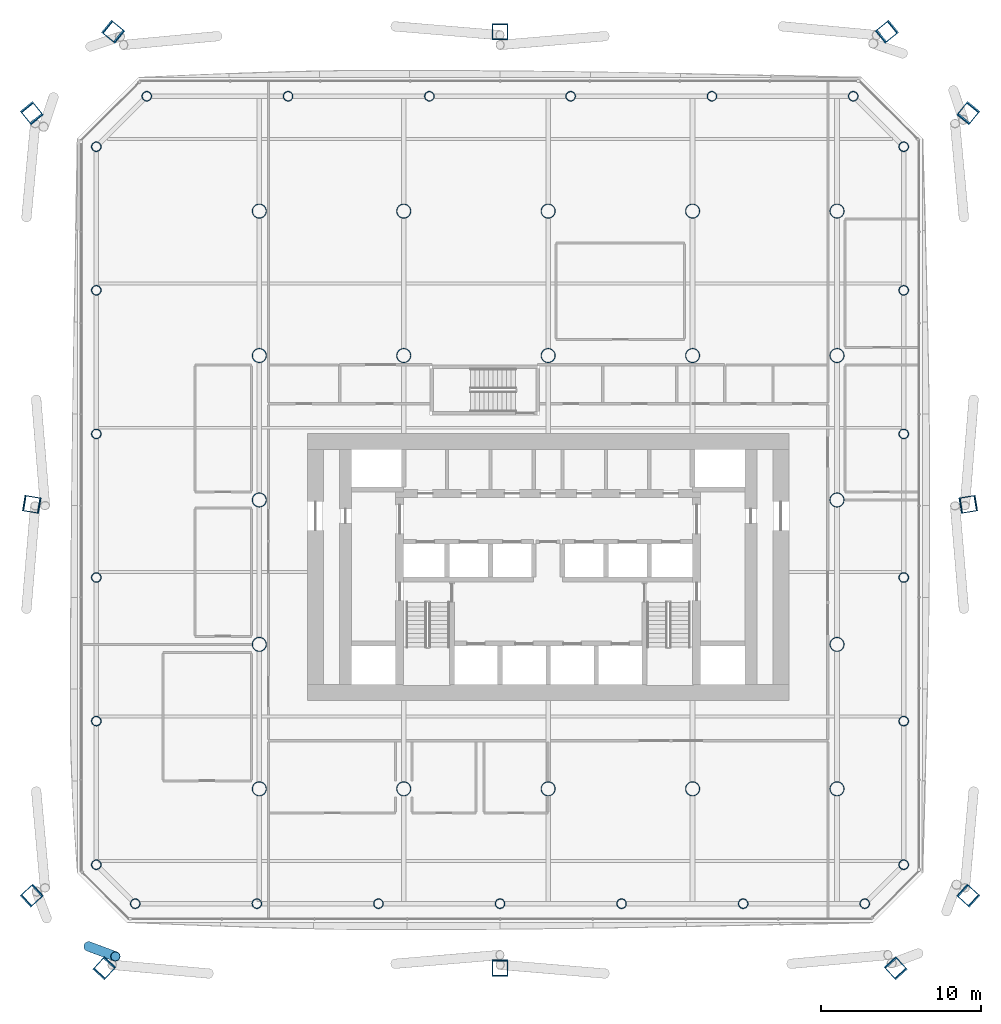
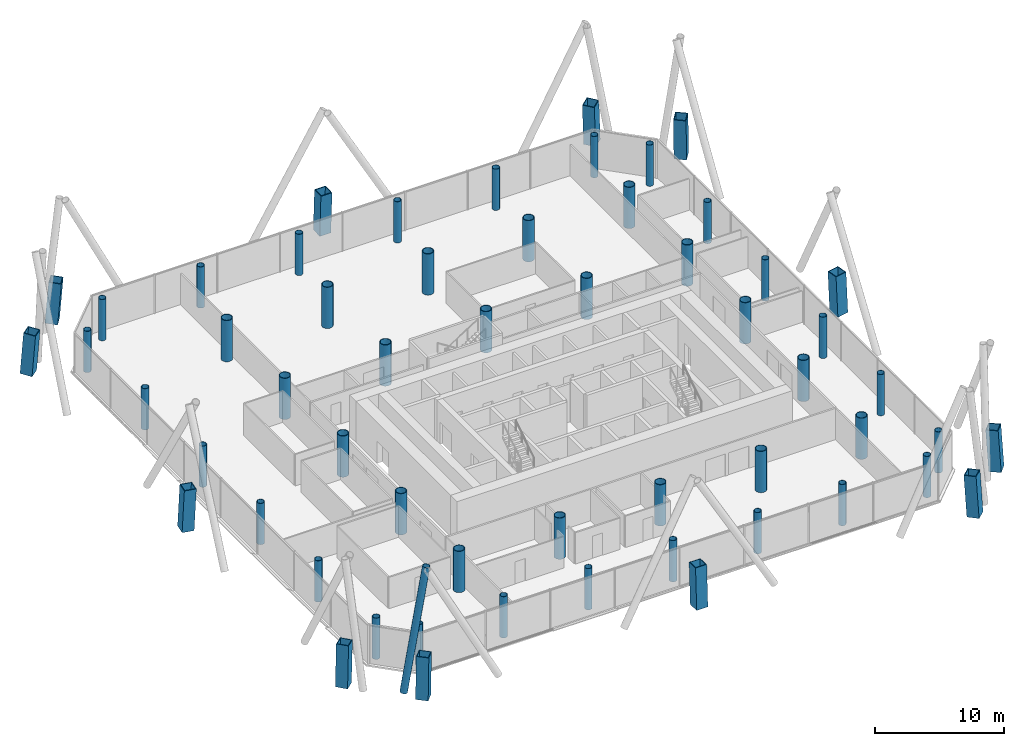
# One storey, part 1 of 21: 56 columns, 1 member.
"""IFC4 building model written with IfcOpenShell, lengths in metres."""

from ifc_helpers import new_model, si_unit, direction, frame, origin, origin_2d, place, context, subcontext, project, spatial, hollow_rectangle, hollow_circle, extrude, material, material_profile, profile_set, type_object, element, save


model = new_model("IFC4")

# Units and contexts
model_context = context("Model", 3, precision=1e-05, world=origin(), true_north=direction((0.0, 1.0)))
body_context = subcontext(model_context, "Body", "Model", "MODEL_VIEW")
ifc_project = project(units=[si_unit("LENGTHUNIT", "METRE"), si_unit("AREAUNIT", "SQUARE_METRE"), si_unit("VOLUMEUNIT", "CUBIC_METRE"), si_unit("PLANEANGLEUNIT", "RADIAN"), si_unit("MASSUNIT", "GRAM", prefix="KILO")], contexts=[model_context])

# Site, building, storey
site_placement = place(None, origin())
site = spatial("IfcSite", under=ifc_project, at=site_placement, CompositionType="ELEMENT")
building_placement = place(site_placement, origin())
building = spatial("IfcBuilding", under=site, at=building_placement, Name="Tskaro Facet Tower", CompositionType="ELEMENT")
storey_placement = place(building_placement, frame((0.0, 0.0, 45.89990234375)))
storey = spatial("IfcBuildingStorey", under=building, at=storey_placement, Name="L10", CompositionType="ELEMENT", Elevation=45.89990234375)

# Columns
ifc_material_1 = material(Name="Steel S460M", Category="steel")
ifc_material_profile_1 = material_profile(ifc_material_1, hollow_rectangle(XDim=1.0, YDim=1.0, WallThickness=0.06005859375, at=origin_2d()), Name="BOX 1000x1000x60")
ifc_profile_set_1 = profile_set([ifc_material_profile_1], Name="Steel S460M")
column_type_1 = type_object("IfcColumnType", Name="BOX 1000x1000x60 mega column", PredefinedType="COLUMN", material=ifc_profile_set_1)
column_1_placement = place(storey_placement, frame((-27.679931640625, -29.20703125, 0.0), z_axis=(0.042481292023, 0.046854366202, 0.997998000096), x_axis=(-0.74083333658, 0.671688891833, 0.0)))
element("IfcColumn", 1, at=column_1_placement, inside=storey, type_object=column_type_1, Name="BOX 1000x1000x60 MC01/1", PredefinedType="COLUMN", context=body_context, shape_type="SweptSolid", body=[
    extrude(hollow_rectangle(XDim=1.0, YDim=1.0, WallThickness=0.06005859375, at=origin_2d()), origin(), (0.0, 0.0, 1.0), 3.907958984375),
])
column_2_placement = place(storey_placement, frame((-3.0, -29.20703125, 0.0), z_axis=(0.0, 0.046896701615, 0.998899744408), x_axis=(-1.0, 0.0, 0.0)))
element("IfcColumn", 2, at=column_2_placement, inside=storey, type_object=column_type_1, Name="BOX 1000x1000x60 MC02/1", PredefinedType="COLUMN", context=body_context, shape_type="SweptSolid", body=[
    extrude(hollow_rectangle(XDim=1.0, YDim=1.0, WallThickness=0.06005859375, at=origin_2d()), origin(), (0.0, 0.0, 1.0), 3.904541015625),
])
for number, where, z_axis, x_axis, name in (
    (3, (21.679931640625, -29.20703125, 0.0), (-0.042481292023, 0.046854366202, 0.997998000096), (-0.74083333658, -0.671688891833, 0.0), "BOX 1000x1000x60 MC03/1"),
    (4, (26.20703125, -24.679931640625, 0.0), (-0.046854366202, 0.042481292023, 0.997998000096), (-0.671688891833, -0.74083333658, 0.0), "BOX 1000x1000x60 MC04/1"),
):
    element("IfcColumn", number, at=place(storey_placement, frame(where, z_axis=z_axis, x_axis=x_axis)), inside=storey, type_object=column_type_1, Name=name, PredefinedType="COLUMN", context=body_context, shape_type="SweptSolid", body=[
        extrude(hollow_rectangle(XDim=1.0, YDim=1.0, WallThickness=0.06005859375, at=origin_2d()), origin(), (0.0, 0.0, 1.0), 3.907958984375),
    ])
column_3_placement = place(storey_placement, frame((26.20703125, -0.26904296875, 0.0), z_axis=(-0.046895314651, -0.007690831603, 0.998870202065), x_axis=(0.161838042552, -0.986817332632, 0.0)))
element("IfcColumn", 5, at=column_3_placement, inside=storey, type_object=column_type_1, Name="BOX 1000x1000x60 MC05/1", PredefinedType="COLUMN", context=body_context, shape_type="SweptSolid", body=[
    extrude(hollow_rectangle(XDim=1.0, YDim=1.0, WallThickness=0.06005859375, at=origin_2d()), origin(), (0.0, 0.0, 1.0), 3.904541015625),
])
for number, where, z_axis, x_axis, name in (
    (6, (26.20703125, 24.14208984375, 0.0), (-0.046818285377, -0.057804976346, 0.997229478537), (0.777088504756, -0.629391337545, 0.0), "BOX 1000x1000x60 MC06/1"),
    (7, (21.14208984375, 29.20703125, 0.0), (-0.057804976346, -0.046818285377, 0.997229478537), (0.629391337545, -0.777088504756, 0.0), "BOX 1000x1000x60 MC07/1"),
):
    element("IfcColumn", number, at=place(storey_placement, frame(where, z_axis=z_axis, x_axis=x_axis)), inside=storey, type_object=column_type_1, Name=name, PredefinedType="COLUMN", context=body_context, shape_type="SweptSolid", body=[
        extrude(hollow_rectangle(XDim=1.0, YDim=1.0, WallThickness=0.06005859375, at=origin_2d()), origin(), (0.0, 0.0, 1.0), 3.910888671875),
    ])
column_4_placement = place(storey_placement, frame((-3.0, 29.20703125, 0.0), z_axis=(0.0, -0.046896701615, 0.998899744408), x_axis=(1.0, 0.0, 0.0)))
element("IfcColumn", 8, at=column_4_placement, inside=storey, type_object=column_type_1, Name="BOX 1000x1000x60 MC08/1", PredefinedType="COLUMN", context=body_context, shape_type="SweptSolid", body=[
    extrude(hollow_rectangle(XDim=1.0, YDim=1.0, WallThickness=0.06005859375, at=origin_2d()), origin(), (0.0, 0.0, 1.0), 3.904541015625),
])
for number, where, z_axis, x_axis, name in (
    (9, (-27.14208984375, 29.20703125, 0.0), (0.057804976346, -0.046818285377, 0.997229478537), (0.629391337545, 0.777088504756, 0.0), "BOX 1000x1000x60 MC09/1"),
    (10, (-32.20703125, 24.14208984375, 0.0), (0.046818285377, -0.057804976346, 0.997229478537), (0.777088504756, 0.629391337545, 0.0), "BOX 1000x1000x60 MC10/1"),
):
    element("IfcColumn", number, at=place(storey_placement, frame(where, z_axis=z_axis, x_axis=x_axis)), inside=storey, type_object=column_type_1, Name=name, PredefinedType="COLUMN", context=body_context, shape_type="SweptSolid", body=[
        extrude(hollow_rectangle(XDim=1.0, YDim=1.0, WallThickness=0.06005859375, at=origin_2d()), origin(), (0.0, 0.0, 1.0), 3.910888671875),
    ])
column_5_placement = place(storey_placement, frame((-32.20703125, -0.26904296875, 0.0), z_axis=(0.046895314651, -0.007690831603, 0.998870202065), x_axis=(0.161838042552, 0.986817332632, 0.0)))
element("IfcColumn", 11, at=column_5_placement, inside=storey, type_object=column_type_1, Name="BOX 1000x1000x60 MC11/1", PredefinedType="COLUMN", context=body_context, shape_type="SweptSolid", body=[
    extrude(hollow_rectangle(XDim=1.0, YDim=1.0, WallThickness=0.06005859375, at=origin_2d()), origin(), (0.0, 0.0, 1.0), 3.904541015625),
])
column_6_placement = place(storey_placement, frame((-32.20703125, -24.679931640625, 0.0), z_axis=(0.046854366202, 0.042481292023, 0.997998000096), x_axis=(-0.671688891833, 0.74083333658, 0.0)))
element("IfcColumn", 12, at=column_6_placement, inside=storey, type_object=column_type_1, Name="BOX 1000x1000x60 MC12/1", PredefinedType="COLUMN", context=body_context, shape_type="SweptSolid", body=[
    extrude(hollow_rectangle(XDim=1.0, YDim=1.0, WallThickness=0.06005859375, at=origin_2d()), origin(), (0.0, 0.0, 1.0), 3.907958984375),
])
ifc_material_2 = material(Name="Steel S355J2H", Category="steel")
ifc_material_profile_2 = material_profile(ifc_material_2, hollow_circle(Radius=0.304931640625, WallThickness=0.030029296875, at=origin_2d()), Name="CHS 610x30")
ifc_profile_set_2 = profile_set([ifc_material_profile_2], Name="Steel S355J2H")
column_type_2 = type_object("IfcColumnType", Name="CHS 610x30 ring column", PredefinedType="COLUMN", material=ifc_profile_set_2)
for number, where, z_axis, x_axis, name in (
    (13, (-25.72900390625, -25.156982421875, 0.0), (0.0, 0.0, 1.0), (1.0, 0.0, 0.0), "CHS 610x30 RS-1/1"),
    (14, (-18.153076171875, -25.156982421875, 0.0), (0.0, 0.0, 1.0), (1.0, 0.0, 0.0), "CHS 610x30 RS-2/1"),
    (15, (-10.575927734375, -25.156982421875, 0.0), (0.0, 0.0, 1.0), (1.0, 0.0, 0.0), "CHS 610x30 RS-3/1"),
    (16, (-3.0, -25.156982421875, 0.0), (0.0, 0.0, 1.0), (1.0, 0.0, 0.0), "CHS 610x30 RS-4/1"),
    (17, (4.575927734375, -25.156982421875, 0.0), (0.0, 0.0, 1.0), (1.0, 0.0, 0.0), "CHS 610x30 RS-5/1"),
    (18, (12.153076171875, -25.156982421875, 0.0), (0.0, 0.0, 1.0), (1.0, 0.0, 0.0), "CHS 610x30 RS-6/1"),
    (19, (19.72900390625, -25.156982421875, 0.0), (0.0, 0.0, 1.0), (1.0, 0.0, 0.0), "CHS 610x30 RSE-1/1"),
    (20, (22.156982421875, -22.72900390625, 0.0), (0.0, 0.0, 1.0), (1.0, 0.0, 0.0), "CHS 610x30 RE-1/1"),
    (21, (22.156982421875, -13.781005859375, 0.0), (0.0, 0.0, 1.0), (1.0, 0.0, 0.0), "CHS 610x30 RE-2/1"),
    (22, (22.156982421875, -4.8330078125, 0.0), (0.0, 0.0, 1.0), (1.0, 0.0, 0.0), "CHS 610x30 RE-3/1"),
    (23, (22.156982421875, 4.115966796875, 0.0), (0.0, 0.0, 1.0), (1.0, 0.0, 0.0), "CHS 610x30 RE-4/1"),
    (24, (22.156982421875, 13.06396484375, 0.0), (0.0, 0.0, 1.0), (1.0, 0.0, 0.0), "CHS 610x30 RE-5/1"),
    (25, (22.156982421875, 22.011962890625, 0.0), (0.0, 0.0, 1.0), (1.0, 0.0, 0.0), "CHS 610x30 RNE-1/1"),
    (26, (19.011962890625, 25.156982421875, 0.0), (0.0, 0.0, 1.0), (1.0, 0.0, 0.0), "CHS 610x30 RN-1/1"),
    (27, (10.20703125, 25.156982421875, 0.0), (0.0, 0.0, 1.0), (1.0, 0.0, 0.0), "CHS 610x30 RN-2/1"),
    (28, (1.402099609375, 25.156982421875, 0.0), (0.0, 0.0, 1.0), (1.0, 0.0, 0.0), "CHS 610x30 RN-3/1"),
    (29, (-7.402099609375, 25.156982421875, 0.0), (0.0, 0.0, 1.0), (1.0, 0.0, 0.0), "CHS 610x30 RN-4/1"),
    (30, (-16.20703125, 25.156982421875, 0.0), (0.0, 0.0, 1.0), (1.0, 0.0, 0.0), "CHS 610x30 RN-5/1"),
    (31, (-25.011962890625, 25.156982421875, 0.0), (0.0, 0.0, 1.0), (1.0, 0.0, 0.0), "CHS 610x30 RNW-1/1"),
    (32, (-28.156982421875, 22.011962890625, 0.0), (0.0, 0.0, 1.0), (1.0, 0.0, 0.0), "CHS 610x30 RW-1/1"),
    (33, (-28.156982421875, 13.06396484375, 0.0), (0.0, 0.0, 1.0), (1.0, 0.0, 0.0), "CHS 610x30 RW-2/1"),
    (34, (-28.156982421875, 4.115966796875, 0.0), (0.0, 0.0, 1.0), (1.0, 0.0, 0.0), "CHS 610x30 RW-3/1"),
    (35, (-28.156982421875, -4.8330078125, 0.0), (0.0, 0.0, 1.0), (1.0, 0.0, 0.0), "CHS 610x30 RW-4/1"),
    (36, (-28.156982421875, -13.781005859375, 0.0), (0.0, 0.0, 1.0), (1.0, 0.0, 0.0), "CHS 610x30 RW-5/1"),
    (37, (-28.156982421875, -22.72900390625, 0.0), (0.0, 0.0, 1.0), (1.0, 0.0, 0.0), "CHS 610x30 RSW-1/1"),
):
    element("IfcColumn", number, at=place(storey_placement, frame(where, z_axis=z_axis, x_axis=x_axis)), inside=storey, type_object=column_type_2, Name=name, PredefinedType="COLUMN", context=body_context, shape_type="SweptSolid", body=[
        extrude(hollow_circle(Radius=0.304931640625, WallThickness=0.030029296875, at=origin_2d()), origin(), (0.0, 0.0, 1.0), 3.900146484375),
    ])
ifc_material_profile_3 = material_profile(ifc_material_2, hollow_circle(Radius=0.457275390625, WallThickness=0.050048828125, at=origin_2d()), Name="CHS 914.4x50")
ifc_profile_set_3 = profile_set([ifc_material_profile_3], Name="Steel S355J2H")
column_type_3 = type_object("IfcColumnType", Name="CHS 914.4x50 interior column", PredefinedType="COLUMN", material=ifc_profile_set_3)
for number, where, z_axis, x_axis, name in (
    (38, (-18.0, -18.0, 0.0), (0.0, 0.0, 1.0), (1.0, 0.0, 0.0), "CHS 914.4x50 C2B/1"),
    (39, (-18.0, -9.0, 0.0), (0.0, 0.0, 1.0), (1.0, 0.0, 0.0), "CHS 914.4x50 C2C/1"),
    (40, (-18.0, 0.0, 0.0), (0.0, 0.0, 1.0), (1.0, 0.0, 0.0), "CHS 914.4x50 C2D/1"),
    (41, (-18.0, 9.0, 0.0), (0.0, 0.0, 1.0), (1.0, 0.0, 0.0), "CHS 914.4x50 C2E/1"),
    (42, (-18.0, 18.0, 0.0), (0.0, 0.0, 1.0), (1.0, 0.0, 0.0), "CHS 914.4x50 C2F/1"),
    (43, (-9.0, -18.0, 0.0), (0.0, 0.0, 1.0), (1.0, 0.0, 0.0), "CHS 914.4x50 C3B/1"),
    (44, (-9.0, 9.0, 0.0), (0.0, 0.0, 1.0), (1.0, 0.0, 0.0), "CHS 914.4x50 C3E/1"),
    (45, (-9.0, 18.0, 0.0), (0.0, 0.0, 1.0), (1.0, 0.0, 0.0), "CHS 914.4x50 C3F/1"),
    (46, (0.0, -18.0, 0.0), (0.0, 0.0, 1.0), (1.0, 0.0, 0.0), "CHS 914.4x50 C4B/1"),
    (47, (0.0, 9.0, 0.0), (0.0, 0.0, 1.0), (1.0, 0.0, 0.0), "CHS 914.4x50 C4E/1"),
    (48, (0.0, 18.0, 0.0), (0.0, 0.0, 1.0), (1.0, 0.0, 0.0), "CHS 914.4x50 C4F/1"),
    (49, (9.0, -18.0, 0.0), (0.0, 0.0, 1.0), (1.0, 0.0, 0.0), "CHS 914.4x50 C5B/1"),
    (50, (9.0, 9.0, 0.0), (0.0, 0.0, 1.0), (1.0, 0.0, 0.0), "CHS 914.4x50 C5E/1"),
    (51, (9.0, 18.0, 0.0), (0.0, 0.0, 1.0), (1.0, 0.0, 0.0), "CHS 914.4x50 C5F/1"),
    (52, (18.0, -18.0, 0.0), (0.0, 0.0, 1.0), (1.0, 0.0, 0.0), "CHS 914.4x50 C6B/1"),
    (53, (18.0, -9.0, 0.0), (0.0, 0.0, 1.0), (1.0, 0.0, 0.0), "CHS 914.4x50 C6C/1"),
    (54, (18.0, 0.0, 0.0), (0.0, 0.0, 1.0), (1.0, 0.0, 0.0), "CHS 914.4x50 C6D/1"),
    (55, (18.0, 9.0, 0.0), (0.0, 0.0, 1.0), (1.0, 0.0, 0.0), "CHS 914.4x50 C6E/1"),
    (56, (18.0, 18.0, 0.0), (0.0, 0.0, 1.0), (1.0, 0.0, 0.0), "CHS 914.4x50 C6F/1"),
):
    element("IfcColumn", number, at=place(storey_placement, frame(where, z_axis=z_axis, x_axis=x_axis)), inside=storey, type_object=column_type_3, Name=name, PredefinedType="COLUMN", context=body_context, shape_type="SweptSolid", body=[
        extrude(hollow_circle(Radius=0.457275390625, WallThickness=0.050048828125, at=origin_2d()), origin(), (0.0, 0.0, 1.0), 3.900146484375),
    ])

# Member
ifc_material_profile_4 = material_profile(ifc_material_2, hollow_circle(Radius=0.304931640625, WallThickness=0.030029296875, at=origin_2d()), Name="CHS 610x30")
ifc_profile_set_4 = profile_set([ifc_material_profile_4], Name="Steel S355J2H")
member_type = type_object("IfcMemberType", Name="CHS 610x30 brace", PredefinedType="BRACE", material=ifc_profile_set_4)
member_placement = place(storey_placement, frame((-28.6318359375, -27.82373046875, 0.0), z_axis=(0.140898134434, -0.052357169135, 0.988638681497), x_axis=(0.348324360199, 0.937374066257, 0.0)))
element("IfcMember", 57, at=member_placement, inside=storey, type_object=member_type, Name="CHS 610x30 XB12A/1", PredefinedType="BRACE", context=body_context, shape_type="SweptSolid", body=[
    extrude(hollow_circle(Radius=0.304931640625, WallThickness=0.030029296875, at=origin_2d()), origin(), (0.0, 0.0, 1.0), 11.834716796875),
])

save(model, "model.ifc")
